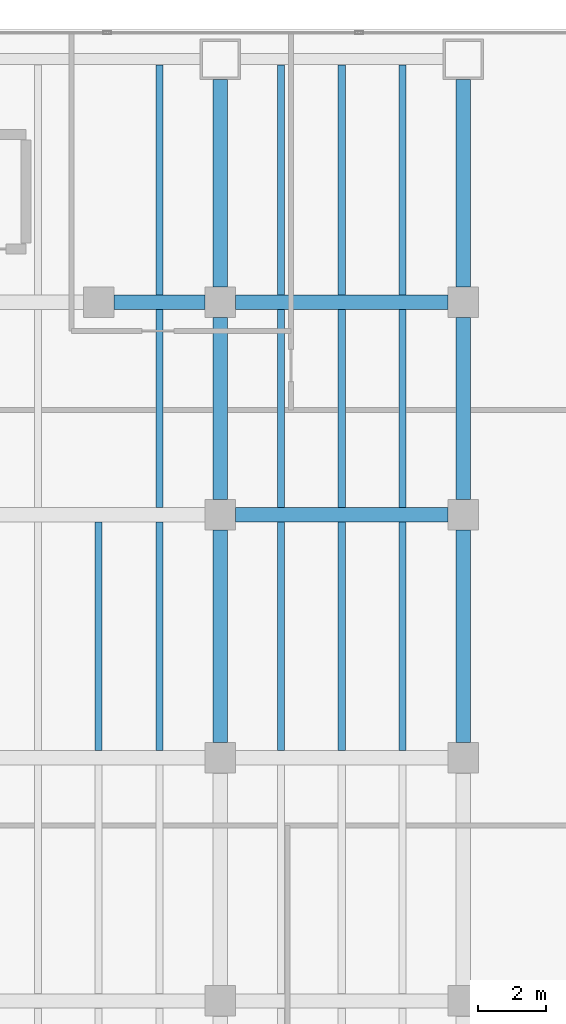
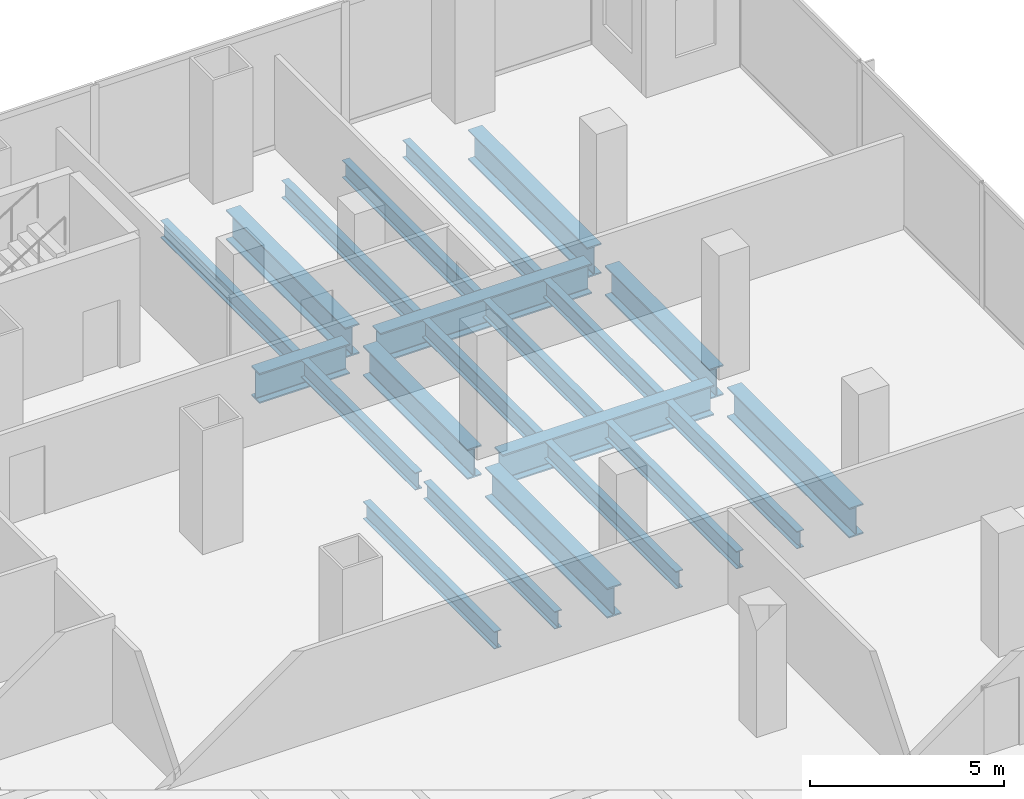
# One storey, part 13 of 31: 22 beams.
"""IFC4 building model written with IfcOpenShell, lengths in metres."""

import ifcopenshell
import ifcopenshell.guid

model = None  # the IFC model being written
_history = None  # IfcOwnerHistory: only IFC2X3 demands one
_inside = {}  # id of a spatial element -> (the spatial element, [elements in it])
_under = {}  # id of a project, library or spatial element -> (it, [spatial elements below it])
_declared = {}  # id of a project -> (the project, [libraries it declares])
_typed = {}  # id of a type object -> (the type object, [elements of that type])
_made_of = {}  # id of a material, layer set ... -> (it, [elements and type objects made of it])


def new_model(schema):
    """Start an empty IFC model of exactly this schema.

    Asked for "IFC4X3", IfcOpenShell would pick the latest addendum, in which some entities
    have other attributes; the version numbers below select the first issue.
    IFC2X3 requires an IfcOwnerHistory on every rooted entity: one is made here for all.
    """
    global model, _history
    if schema == "IFC4X3":
        model = ifcopenshell.file(schema_version=(4, 3, 0, 0))
    else:
        model = ifcopenshell.file(schema=schema)
    _inside.clear()
    _under.clear()
    _declared.clear()
    _typed.clear()
    _made_of.clear()
    _history = None
    if model.schema == "IFC2X3":
        org = make("IfcOrganization", Name="unknown")
        user = make(
            "IfcPersonAndOrganization",
            ThePerson=make("IfcPerson", FamilyName="unknown"),
            TheOrganization=org,
        )
        app = make(
            "IfcApplication",
            ApplicationDeveloper=org,
            Version="unknown",
            ApplicationFullName="unknown",
            ApplicationIdentifier="unknown",
        )
        _history = make(
            "IfcOwnerHistory",
            OwningUser=user,
            OwningApplication=app,
            ChangeAction="ADDED",
            CreationDate=0,
        )
    return model


def make(cls, **values):
    """One entity of the class cls with the attributes given. An attribute that is None is left unset."""
    return model.create_entity(
        cls, **{name: value for name, value in values.items() if value is not None}
    )


def rooted(cls, **values):
    """An entity with a GlobalId (a new one), such as an element, a storey or a relation."""
    return make(cls, GlobalId=ifcopenshell.guid.new(), OwnerHistory=_history, **values)


def si_unit(unit_type, name, prefix=None):
    """IfcSIUnit, for example si_unit("LENGTHUNIT", "METRE", prefix="MILLI")."""
    return make("IfcSIUnit", UnitType=unit_type, Prefix=prefix, Name=name)


def assignment(units):
    """IfcUnitAssignment: the units of a project."""
    return None if units is None else make("IfcUnitAssignment", Units=units)


def point(xyz):
    """IfcCartesianPoint."""
    return None if xyz is None else make("IfcCartesianPoint", Coordinates=xyz)


def direction(xyz):
    """IfcDirection."""
    return None if xyz is None else make("IfcDirection", DirectionRatios=xyz)


def frame(location, z_axis=None, x_axis=None):
    """IfcAxis2Placement3D, a coordinate frame: its origin and axes. An axis left out is left unset."""
    return make(
        "IfcAxis2Placement3D",
        Location=point(location),
        Axis=direction(z_axis),
        RefDirection=direction(x_axis),
    )


def frame_2d(location, x_axis=None):
    """IfcAxis2Placement2D, a coordinate frame in the plane: its origin and x axis."""
    return make(
        "IfcAxis2Placement2D", Location=point(location), RefDirection=direction(x_axis)
    )


def origin():
    """The frame at (0, 0, 0) with its axes left unset."""
    return frame((0.0, 0.0, 0.0))


def origin_2d():
    """The frame at (0, 0) in the plane with its x axis left unset."""
    return frame_2d((0.0, 0.0))


def place(relative_to, where):
    """IfcLocalPlacement: puts the frame where relative to a parent placement (None: the world)."""
    return make(
        "IfcLocalPlacement", PlacementRelTo=relative_to, RelativePlacement=where
    )


def context(
    kind, dimensions, precision=None, world=None, true_north=None, identifier=None
):
    """IfcGeometricRepresentationContext, for example the 3D "Model" context."""
    return make(
        "IfcGeometricRepresentationContext",
        ContextIdentifier=identifier,
        ContextType=kind,
        CoordinateSpaceDimension=dimensions,
        Precision=precision,
        WorldCoordinateSystem=world,
        TrueNorth=true_north,
    )


def subcontext(parent, identifier, kind, view, scale=None):
    """IfcGeometricRepresentationSubContext, for example "Body" below "Model"."""
    return make(
        "IfcGeometricRepresentationSubContext",
        ContextIdentifier=identifier,
        ContextType=kind,
        ParentContext=parent,
        TargetScale=scale,
        TargetView=view,
    )


def project(units=None, contexts=None):
    """IfcProject with its units and contexts."""
    return rooted(
        "IfcProject",
        Name="project",
        RepresentationContexts=contexts,
        UnitsInContext=assignment(units),
    )


def spatial(cls, under=None, at=None, **own):
    """A site, building, storey or space (cls), placed at a placement, below another one or the project."""
    s = rooted(cls, ObjectPlacement=at, **own)
    if under is not None:
        _under.setdefault(under.id(), (under, []))[1].append(s)
    return s


def profile(cls, at=None, kind="AREA", **sizes):
    """A parametric profile (cls). Its sizes go by their IFC names, for example OverallWidth=200.0."""
    return make(cls, ProfileType=kind, Position=at, **sizes)


def i_section(**sizes):
    """IfcIShapeProfileDef."""
    return profile("IfcIShapeProfileDef", **sizes)


def extrude(swept, where, along, depth):
    """IfcExtrudedAreaSolid: the profile swept, set in the frame where, extruded along a direction by depth."""
    return make(
        "IfcExtrudedAreaSolid",
        SweptArea=swept,
        Position=where,
        ExtrudedDirection=direction(along),
        Depth=depth,
    )


def shape(context_of_items, identifier, shape_type, items):
    """IfcShapeRepresentation: the items that make up one representation, for example the "Body"."""
    return make(
        "IfcShapeRepresentation",
        ContextOfItems=context_of_items,
        RepresentationIdentifier=identifier,
        RepresentationType=shape_type,
        Items=items,
    )


def material(Name=None, Category=None):
    """IfcMaterial."""
    return make("IfcMaterial", Name=Name, Category=Category)


def material_profile(
    of_material, cross_section, Name=None, Category=None, Priority=None
):
    """IfcMaterialProfile: a cross section and its material."""
    return make(
        "IfcMaterialProfile",
        Name=Name,
        Material=of_material,
        Profile=cross_section,
        Priority=Priority,
        Category=Category,
    )


def profile_set(profiles, Name=None, composite=None):
    """IfcMaterialProfileSet."""
    return make(
        "IfcMaterialProfileSet",
        Name=Name,
        MaterialProfiles=profiles,
        CompositeProfile=composite,
    )


def made_of(thing, what):
    """Note that an element or type object is made of a material, layer set ...; save() writes the relation."""
    if what is not None:
        _made_of.setdefault(what.id(), (what, []))[1].append(thing)
    return thing


def type_object(cls, material=None, **own):
    """A type object (cls), such as IfcWallType, which elements share."""
    return made_of(rooted(cls, **own), material)


def element(
    cls,
    number,
    at=None,
    inside=None,
    cuts=None,
    type_object=None,
    material=None,
    context=None,
    identifier="Body",
    shape_type=None,
    held_by="IfcProductDefinitionShape",
    body=None,
    shapes=None,
    **own,
):
    """One element of the class cls, such as IfcWall. Its Tag is "e" and its number.

    at: its placement. inside: the storey or other place that contains it. cuts: it is an
    opening in that element (IfcRelVoidsElement). A single representation is given by context,
    identifier, shape_type and body (its items); several are given by shapes. held_by: the class
    of the entity that holds the representations. save() writes the other relations.
    """
    e = rooted(cls, Tag="e%d" % number, ObjectPlacement=at, **own)
    if body is not None:
        shapes = [shape(context, identifier, shape_type, body)]
    if shapes is not None:
        e.Representation = make(held_by, Representations=shapes)
    if inside is not None:
        _inside.setdefault(inside.id(), (inside, []))[1].append(e)
    if cuts is not None:
        rooted(
            "IfcRelVoidsElement", RelatingBuildingElement=cuts, RelatedOpeningElement=e
        )
    if type_object is not None:
        _typed.setdefault(type_object.id(), (type_object, []))[1].append(e)
    return made_of(e, material)


def aggregate(whole, parts):
    """IfcRelAggregates: a whole, such as a stair, and the parts it consists of."""
    return rooted("IfcRelAggregates", RelatingObject=whole, RelatedObjects=parts)


def save(model, path):
    """Write the relations noted so far, then the file.

    IfcRelAggregates (storeys below a building ...), IfcRelContainedInSpatialStructure (elements
    in a storey), IfcRelDefinesByType, IfcRelAssociatesMaterial and IfcRelDeclares: one each for
    every whole, place, type object, material and project.
    """
    for whole, parts in _under.values():
        aggregate(whole, parts)
    for where, things in _inside.values():
        rooted(
            "IfcRelContainedInSpatialStructure",
            RelatedElements=things,
            RelatingStructure=where,
        )
    for kind, things in _typed.values():
        rooted("IfcRelDefinesByType", RelatedObjects=things, RelatingType=kind)
    for what, things in _made_of.values():
        rooted("IfcRelAssociatesMaterial", RelatedObjects=things, RelatingMaterial=what)
    for by, libraries in _declared.values():
        rooted("IfcRelDeclares", RelatingContext=by, RelatedDefinitions=libraries)
    model.write(path)


model = new_model("IFC4")

# Units and contexts
model_context = context("Model", 3, precision=1e-05, world=origin(), true_north=direction((0.0, 1.0)))
body_context = subcontext(model_context, "Body", "Model", "MODEL_VIEW")
ifc_project = project(units=[si_unit("LENGTHUNIT", "METRE"), si_unit("AREAUNIT", "SQUARE_METRE"), si_unit("VOLUMEUNIT", "CUBIC_METRE"), si_unit("PLANEANGLEUNIT", "RADIAN"), si_unit("MASSUNIT", "GRAM", prefix="KILO")], contexts=[model_context])

# Site, building, storey
site_placement = place(None, origin())
site = spatial("IfcSite", under=ifc_project, at=site_placement, CompositionType="ELEMENT")
building_placement = place(site_placement, origin())
building = spatial("IfcBuilding", under=site, at=building_placement, Name="Cobrela Telecom Tower", CompositionType="ELEMENT")
storey_placement = place(building_placement, frame((0.0, 0.0, 9.449951171875)))
storey = spatial("IfcBuildingStorey", under=building, at=storey_placement, Name="L02", CompositionType="ELEMENT", Elevation=9.449951171875)

# Beams
ifc_material = material(Name="Steel ASTM A992 Grade 50", Category="steel")
ifc_material_profile_1 = material_profile(ifc_material, i_section(OverallWidth=0.424072265625, OverallDepth=0.947021484375, WebThickness=0.02392578125, FlangeThickness=0.042724609375, FilletRadius=0.02392578125, at=origin_2d()), Name="W36X302")
ifc_profile_set_1 = profile_set([ifc_material_profile_1], Name="Steel ASTM A992 Grade 50")
beam_type_1 = type_object("IfcBeamType", Name="BM-GIRD-01", PredefinedType="USERDEFINED", material=ifc_profile_set_1)
beam_1_placement = place(storey_placement, frame((36.455078125, 36.0, -0.7734375), z_axis=(1.0, 0.0, 0.0), x_axis=(0.0, 1.0, 0.0)))
element("IfcBeam", 1, at=beam_1_placement, inside=storey, type_object=beam_type_1, Name="L02 Primary Girder X45", ObjectType="GIRDER", PredefinedType="USERDEFINED", context=body_context, shape_type="SweptSolid", body=[
    extrude(i_section(OverallWidth=0.424072265625, OverallDepth=0.947021484375, WebThickness=0.02392578125, FlangeThickness=0.042724609375, FilletRadius=0.02392578125, at=origin_2d()), origin(), (0.0, 0.0, 1.0), 6.2900390625),
])
beam_2_placement = place(storey_placement, frame((32.85498046875, 42.300048828125, -0.7734375), z_axis=(1.0, 0.0, 0.0), x_axis=(0.0, 1.0, 0.0)))
element("IfcBeam", 2, at=beam_2_placement, inside=storey, type_object=beam_type_1, Name="L02 Primary Girder X50", ObjectType="GIRDER", PredefinedType="USERDEFINED", context=body_context, shape_type="SweptSolid", body=[
    extrude(i_section(OverallWidth=0.424072265625, OverallDepth=0.947021484375, WebThickness=0.02392578125, FlangeThickness=0.042724609375, FilletRadius=0.02392578125, at=origin_2d()), origin(), (0.0, 0.0, 1.0), 2.68994140625),
])
for number, where, z_axis, x_axis, name in (
    (3, (36.455078125, 42.300048828125, -0.7734375), (1.0, 0.0, 0.0), (0.0, 1.0, 0.0), "L02 Primary Girder X51"),
    (4, (36.0, 29.2548828125, -0.7734375), (0.0, 1.0, 0.0), (-1.0, 0.0, 0.0), "L02 Primary Girder Y75"),
):
    element("IfcBeam", number, at=place(storey_placement, frame(where, z_axis=z_axis, x_axis=x_axis)), inside=storey, type_object=beam_type_1, Name=name, ObjectType="GIRDER", PredefinedType="USERDEFINED", context=body_context, shape_type="SweptSolid", body=[
        extrude(i_section(OverallWidth=0.424072265625, OverallDepth=0.947021484375, WebThickness=0.02392578125, FlangeThickness=0.042724609375, FilletRadius=0.02392578125, at=origin_2d()), origin(), (0.0, 0.0, 1.0), 6.2900390625),
    ])
beam_3_placement = place(storey_placement, frame((36.0, 36.455078125, -0.7734375), z_axis=(0.0, 1.0, 0.0), x_axis=(-1.0, 0.0, 0.0)))
element("IfcBeam", 5, at=beam_3_placement, inside=storey, type_object=beam_type_1, Name="L02 Primary Girder Y76", ObjectType="GIRDER", PredefinedType="USERDEFINED", context=body_context, shape_type="SweptSolid", body=[
    extrude(i_section(OverallWidth=0.424072265625, OverallDepth=0.947021484375, WebThickness=0.02392578125, FlangeThickness=0.042724609375, FilletRadius=0.02392578125, at=origin_2d()), origin(), (0.0, 0.0, 1.0), 5.389892578125),
])
beam_4_placement = place(storey_placement, frame((36.0, 42.7548828125, -0.7734375), z_axis=(0.0, 1.0, 0.0), x_axis=(-1.0, 0.0, 0.0)))
element("IfcBeam", 6, at=beam_4_placement, inside=storey, type_object=beam_type_1, Name="L02 Primary Girder Y77", ObjectType="GIRDER", PredefinedType="USERDEFINED", context=body_context, shape_type="SweptSolid", body=[
    extrude(i_section(OverallWidth=0.424072265625, OverallDepth=0.947021484375, WebThickness=0.02392578125, FlangeThickness=0.042724609375, FilletRadius=0.02392578125, at=origin_2d()), origin(), (0.0, 0.0, 1.0), 6.14013671875),
])
beam_5_placement = place(storey_placement, frame((43.199951171875, 29.2548828125, -0.7734375), z_axis=(0.0, 1.0, 0.0), x_axis=(-1.0, 0.0, 0.0)))
element("IfcBeam", 7, at=beam_5_placement, inside=storey, type_object=beam_type_1, Name="L02 Primary Girder Y82", ObjectType="GIRDER", PredefinedType="USERDEFINED", context=body_context, shape_type="SweptSolid", body=[
    extrude(i_section(OverallWidth=0.424072265625, OverallDepth=0.947021484375, WebThickness=0.02392578125, FlangeThickness=0.042724609375, FilletRadius=0.02392578125, at=origin_2d()), origin(), (0.0, 0.0, 1.0), 6.2900390625),
])
beam_6_placement = place(storey_placement, frame((43.199951171875, 36.455078125, -0.7734375), z_axis=(0.0, 1.0, 0.0), x_axis=(-1.0, 0.0, 0.0)))
element("IfcBeam", 8, at=beam_6_placement, inside=storey, type_object=beam_type_1, Name="L02 Primary Girder Y83", ObjectType="GIRDER", PredefinedType="USERDEFINED", context=body_context, shape_type="SweptSolid", body=[
    extrude(i_section(OverallWidth=0.424072265625, OverallDepth=0.947021484375, WebThickness=0.02392578125, FlangeThickness=0.042724609375, FilletRadius=0.02392578125, at=origin_2d()), origin(), (0.0, 0.0, 1.0), 5.389892578125),
])
beam_7_placement = place(storey_placement, frame((43.199951171875, 42.7548828125, -0.7734375), z_axis=(0.0, 1.0, 0.0), x_axis=(-1.0, 0.0, 0.0)))
element("IfcBeam", 9, at=beam_7_placement, inside=storey, type_object=beam_type_1, Name="L02 Primary Girder Y84", ObjectType="GIRDER", PredefinedType="USERDEFINED", context=body_context, shape_type="SweptSolid", body=[
    extrude(i_section(OverallWidth=0.424072265625, OverallDepth=0.947021484375, WebThickness=0.02392578125, FlangeThickness=0.042724609375, FilletRadius=0.02392578125, at=origin_2d()), origin(), (0.0, 0.0, 1.0), 6.14013671875),
])
ifc_material_profile_2 = material_profile(ifc_material, i_section(OverallWidth=0.212890625, OverallDepth=0.549072265625, WebThickness=0.0146484375, FlangeThickness=0.023681640625, FilletRadius=0.013916015625, at=origin_2d()), Name="W21X93")
ifc_profile_set_2 = profile_set([ifc_material_profile_2], Name="Steel ASTM A992 Grade 50")
beam_type_2 = type_object("IfcBeamType", Name="BM-JOIST-01", PredefinedType="JOIST", material=ifc_profile_set_2)
for number, where, z_axis, x_axis, name in (
    (10, (32.39990234375, 29.01708984375, -0.574462890625), (0.0, 1.0, 0.0), (-1.0, 0.0, 0.0), "L02 Secondary Composite Floor Beam J62"),
    (11, (34.199951171875, 29.01708984375, -0.574462890625), (0.0, 1.0, 0.0), (-1.0, 0.0, 0.0), "L02 Secondary Composite Floor Beam J67"),
):
    element("IfcBeam", number, at=place(storey_placement, frame(where, z_axis=z_axis, x_axis=x_axis)), inside=storey, type_object=beam_type_2, Name=name, PredefinedType="JOIST", context=body_context, shape_type="SweptSolid", body=[
        extrude(i_section(OverallWidth=0.212890625, OverallDepth=0.549072265625, WebThickness=0.0146484375, FlangeThickness=0.023681640625, FilletRadius=0.013916015625, at=origin_2d()), origin(), (0.0, 0.0, 1.0), 6.765869140625),
    ])
beam_8_placement = place(storey_placement, frame((34.199951171875, 36.217041015625, -0.574462890625), z_axis=(0.0, 1.0, 0.0), x_axis=(-1.0, 0.0, 0.0)))
element("IfcBeam", 12, at=beam_8_placement, inside=storey, type_object=beam_type_2, Name="L02 Secondary Composite Floor Beam J68", PredefinedType="JOIST", context=body_context, shape_type="SweptSolid", body=[
    extrude(i_section(OverallWidth=0.212890625, OverallDepth=0.549072265625, WebThickness=0.0146484375, FlangeThickness=0.023681640625, FilletRadius=0.013916015625, at=origin_2d()), origin(), (0.0, 0.0, 1.0), 5.865966796875),
])
beam_9_placement = place(storey_placement, frame((34.199951171875, 42.51708984375, -0.574462890625), z_axis=(0.0, 1.0, 0.0), x_axis=(-1.0, 0.0, 0.0)))
element("IfcBeam", 13, at=beam_9_placement, inside=storey, type_object=beam_type_2, Name="L02 Secondary Composite Floor Beam J69", PredefinedType="JOIST", context=body_context, shape_type="SweptSolid", body=[
    extrude(i_section(OverallWidth=0.212890625, OverallDepth=0.549072265625, WebThickness=0.0146484375, FlangeThickness=0.023681640625, FilletRadius=0.013916015625, at=origin_2d()), origin(), (0.0, 0.0, 1.0), 6.81396484375),
])
beam_10_placement = place(storey_placement, frame((37.800048828125, 29.01708984375, -0.574462890625), z_axis=(0.0, 1.0, 0.0), x_axis=(-1.0, 0.0, 0.0)))
element("IfcBeam", 14, at=beam_10_placement, inside=storey, type_object=beam_type_2, Name="L02 Secondary Composite Floor Beam J74", PredefinedType="JOIST", context=body_context, shape_type="SweptSolid", body=[
    extrude(i_section(OverallWidth=0.212890625, OverallDepth=0.549072265625, WebThickness=0.0146484375, FlangeThickness=0.023681640625, FilletRadius=0.013916015625, at=origin_2d()), origin(), (0.0, 0.0, 1.0), 6.765869140625),
])
beam_11_placement = place(storey_placement, frame((37.800048828125, 36.217041015625, -0.574462890625), z_axis=(0.0, 1.0, 0.0), x_axis=(-1.0, 0.0, 0.0)))
element("IfcBeam", 15, at=beam_11_placement, inside=storey, type_object=beam_type_2, Name="L02 Secondary Composite Floor Beam J75", PredefinedType="JOIST", context=body_context, shape_type="SweptSolid", body=[
    extrude(i_section(OverallWidth=0.212890625, OverallDepth=0.549072265625, WebThickness=0.0146484375, FlangeThickness=0.023681640625, FilletRadius=0.013916015625, at=origin_2d()), origin(), (0.0, 0.0, 1.0), 5.865966796875),
])
beam_12_placement = place(storey_placement, frame((37.800048828125, 42.51708984375, -0.574462890625), z_axis=(0.0, 1.0, 0.0), x_axis=(-1.0, 0.0, 0.0)))
element("IfcBeam", 16, at=beam_12_placement, inside=storey, type_object=beam_type_2, Name="L02 Secondary Composite Floor Beam J76", PredefinedType="JOIST", context=body_context, shape_type="SweptSolid", body=[
    extrude(i_section(OverallWidth=0.212890625, OverallDepth=0.549072265625, WebThickness=0.0146484375, FlangeThickness=0.023681640625, FilletRadius=0.013916015625, at=origin_2d()), origin(), (0.0, 0.0, 1.0), 6.81396484375),
])
beam_13_placement = place(storey_placement, frame((39.60009765625, 29.01708984375, -0.574462890625), z_axis=(0.0, 1.0, 0.0), x_axis=(-1.0, 0.0, 0.0)))
element("IfcBeam", 17, at=beam_13_placement, inside=storey, type_object=beam_type_2, Name="L02 Secondary Composite Floor Beam J81", PredefinedType="JOIST", context=body_context, shape_type="SweptSolid", body=[
    extrude(i_section(OverallWidth=0.212890625, OverallDepth=0.549072265625, WebThickness=0.0146484375, FlangeThickness=0.023681640625, FilletRadius=0.013916015625, at=origin_2d()), origin(), (0.0, 0.0, 1.0), 6.765869140625),
])
beam_14_placement = place(storey_placement, frame((39.60009765625, 36.217041015625, -0.574462890625), z_axis=(0.0, 1.0, 0.0), x_axis=(-1.0, 0.0, 0.0)))
element("IfcBeam", 18, at=beam_14_placement, inside=storey, type_object=beam_type_2, Name="L02 Secondary Composite Floor Beam J82", PredefinedType="JOIST", context=body_context, shape_type="SweptSolid", body=[
    extrude(i_section(OverallWidth=0.212890625, OverallDepth=0.549072265625, WebThickness=0.0146484375, FlangeThickness=0.023681640625, FilletRadius=0.013916015625, at=origin_2d()), origin(), (0.0, 0.0, 1.0), 5.865966796875),
])
beam_15_placement = place(storey_placement, frame((39.60009765625, 42.51708984375, -0.574462890625), z_axis=(0.0, 1.0, 0.0), x_axis=(-1.0, 0.0, 0.0)))
element("IfcBeam", 19, at=beam_15_placement, inside=storey, type_object=beam_type_2, Name="L02 Secondary Composite Floor Beam J83", PredefinedType="JOIST", context=body_context, shape_type="SweptSolid", body=[
    extrude(i_section(OverallWidth=0.212890625, OverallDepth=0.549072265625, WebThickness=0.0146484375, FlangeThickness=0.023681640625, FilletRadius=0.013916015625, at=origin_2d()), origin(), (0.0, 0.0, 1.0), 6.81396484375),
])
beam_16_placement = place(storey_placement, frame((41.39990234375, 29.01708984375, -0.574462890625), z_axis=(0.0, 1.0, 0.0), x_axis=(-1.0, 0.0, 0.0)))
element("IfcBeam", 20, at=beam_16_placement, inside=storey, type_object=beam_type_2, Name="L02 Secondary Composite Floor Beam J88", PredefinedType="JOIST", context=body_context, shape_type="SweptSolid", body=[
    extrude(i_section(OverallWidth=0.212890625, OverallDepth=0.549072265625, WebThickness=0.0146484375, FlangeThickness=0.023681640625, FilletRadius=0.013916015625, at=origin_2d()), origin(), (0.0, 0.0, 1.0), 6.765869140625),
])
beam_17_placement = place(storey_placement, frame((41.39990234375, 36.217041015625, -0.574462890625), z_axis=(0.0, 1.0, 0.0), x_axis=(-1.0, 0.0, 0.0)))
element("IfcBeam", 21, at=beam_17_placement, inside=storey, type_object=beam_type_2, Name="L02 Secondary Composite Floor Beam J89", PredefinedType="JOIST", context=body_context, shape_type="SweptSolid", body=[
    extrude(i_section(OverallWidth=0.212890625, OverallDepth=0.549072265625, WebThickness=0.0146484375, FlangeThickness=0.023681640625, FilletRadius=0.013916015625, at=origin_2d()), origin(), (0.0, 0.0, 1.0), 5.865966796875),
])
beam_18_placement = place(storey_placement, frame((41.39990234375, 42.51708984375, -0.574462890625), z_axis=(0.0, 1.0, 0.0), x_axis=(-1.0, 0.0, 0.0)))
element("IfcBeam", 22, at=beam_18_placement, inside=storey, type_object=beam_type_2, Name="L02 Secondary Composite Floor Beam J90", PredefinedType="JOIST", context=body_context, shape_type="SweptSolid", body=[
    extrude(i_section(OverallWidth=0.212890625, OverallDepth=0.549072265625, WebThickness=0.0146484375, FlangeThickness=0.023681640625, FilletRadius=0.013916015625, at=origin_2d()), origin(), (0.0, 0.0, 1.0), 6.81396484375),
])

save(model, "model.ifc")
